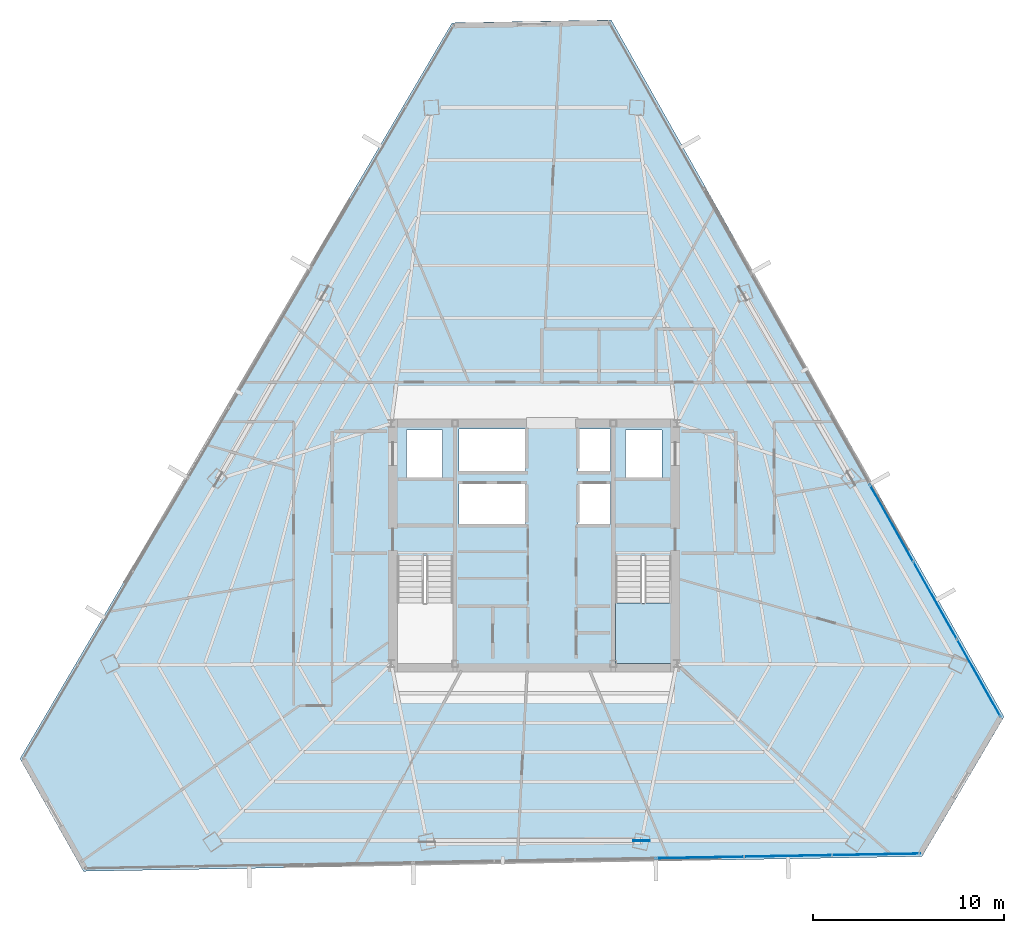
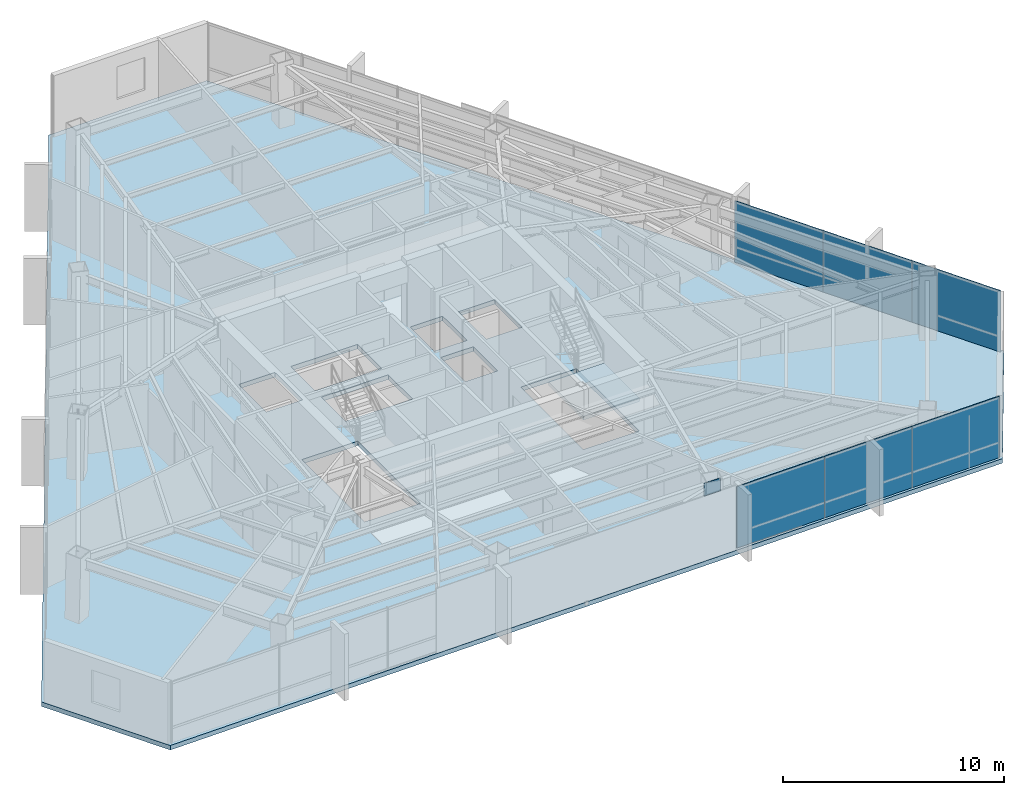
# One storey, part 34 of 42: 7 plates, 2 slabs, 3 elements without a shape of their own.
"""IFC4 building model written with IfcOpenShell, lengths in metres."""

from ifc_helpers import new_model, si_unit, direction, frame, origin, origin_2d, place, context, subcontext, project, spatial, polyline, rectangle, outline, extrude, source, transform, mapped, material, layer, layer_set, type_object, type_shapes, element, aggregate, save


model = new_model("IFC4")

# Units and contexts
model_context = context("Model", 3, precision=1e-05, world=origin(), true_north=direction((0.0, 1.0)))
body_context = subcontext(model_context, "Body", "Model", "MODEL_VIEW")
ifc_project = project(units=[si_unit("LENGTHUNIT", "METRE"), si_unit("AREAUNIT", "SQUARE_METRE"), si_unit("VOLUMEUNIT", "CUBIC_METRE"), si_unit("PLANEANGLEUNIT", "RADIAN"), si_unit("MASSUNIT", "GRAM", prefix="KILO")], contexts=[model_context])

# Site, building, storey
site_placement = place(None, origin())
site = spatial("IfcSite", under=ifc_project, at=site_placement, CompositionType="ELEMENT")
building_placement = place(site_placement, origin())
building = spatial("IfcBuilding", under=site, at=building_placement, Name="Caelisora Broadcast Tower", CompositionType="ELEMENT")
storey_placement = place(building_placement, frame((0.0, 0.0, 191.35009765625)))
storey = spatial("IfcBuildingStorey", under=building, at=storey_placement, Name="L50", CompositionType="ELEMENT", Elevation=191.35009765625)

# Slab
ifc_material_1 = material(Name="Concrete 40 MPa (AS 3600 N40)", Category="concrete")
ifc_layer_1 = layer(ifc_material_1, 0.25, Name="Concrete 40 MPa (AS 3600 N40)")
ifc_layer_set_1 = layer_set([ifc_layer_1], Name="Concrete 40 MPa (AS 3600 N40)")
slab_type_1 = type_object("IfcSlabType", Name="SL04", PredefinedType="FLOOR", material=ifc_layer_set_1)
slab_1_placement = place(storey_placement, frame((0.0, 0.0, -0.25)))
element("IfcSlab", 1, at=slab_1_placement, inside=storey, type_object=slab_type_1, Name="L50 suspended floor SL04", PredefinedType="FLOOR", context=body_context, shape_type="SweptSolid", body=[
    extrude(outline(polyline([(42.044921875, 51.157958984375), (33.698974609375, 51.010986328125), (11.037109375, 12.4150390625), (14.364013671875, 6.510986328125), (58.343017578125, 7.2890625), (62.64404296875, 14.613037109375), (42.044921875, 51.157958984375)]), holes=[polyline([(30.820068359375, 17.39990234375), (33.739990234375, 17.39990234375), (33.739990234375, 23.080078125), (30.820068359375, 23.080078125), (30.820068359375, 17.39990234375)]), polyline([(42.260009765625, 17.39990234375), (45.179931640625, 17.39990234375), (45.179931640625, 23.080078125), (42.260009765625, 23.080078125), (42.260009765625, 17.39990234375)]), polyline([(42.800048828125, 27.14990234375), (44.699951171875, 27.14990234375), (44.699951171875, 29.64990234375), (42.800048828125, 29.64990234375), (42.800048828125, 27.14990234375)]), polyline([(40.300048828125, 24.719970703125), (42.0, 24.719970703125), (42.0, 26.919921875), (40.300048828125, 26.919921875), (40.300048828125, 24.719970703125)]), polyline([(40.300048828125, 27.5), (42.0, 27.5), (42.0, 29.699951171875), (40.300048828125, 29.699951171875), (40.300048828125, 27.5)]), polyline([(34.050048828125, 24.719970703125), (37.550048828125, 24.719970703125), (37.550048828125, 26.919921875), (34.050048828125, 26.919921875), (34.050048828125, 24.719970703125)]), polyline([(34.050048828125, 27.5), (37.550048828125, 27.5), (37.550048828125, 29.699951171875), (34.050048828125, 29.699951171875), (34.050048828125, 27.5)]), polyline([(31.300048828125, 27.14990234375), (33.199951171875, 27.14990234375), (33.199951171875, 29.64990234375), (31.300048828125, 29.64990234375), (31.300048828125, 27.14990234375)])]), origin(), (0.0, 0.0, 1.0), 0.25),
])

# Stair, slab
stair_type = type_object("IfcStairType", Name="ST-2", PredefinedType="HALF_TURN_STAIR", material=ifc_material_1)
stair_placement = place(storey_placement, origin())
stair = element("IfcStair", 2, at=stair_placement, inside=storey, type_object=stair_type, Name="L50 East Fire-Isolated Tower Stair", PredefinedType="HALF_TURN_STAIR")
ifc_layer_2 = layer(ifc_material_1, 0.199951171875, Name="Concrete 40 MPa (AS 3600 N40)")
ifc_layer_set_2 = layer_set([ifc_layer_2], Name="Concrete 40 MPa (AS 3600 N40)")
slab_type_2 = type_object("IfcSlabType", Name="STL-1", PredefinedType="LANDING", material=ifc_layer_set_2)
slab_2_placement = place(storey_placement, frame((0.0, 0.0, 1.625)))
slab_2 = element("IfcSlab", 3, at=slab_2_placement, type_object=slab_type_2, Name="ST-2 landing 1", PredefinedType="LANDING", context=body_context, shape_type="SweptSolid", body=[
    extrude(outline(polyline([(42.260009765625, 20.580078125), (42.260009765625, 17.39990234375), (45.179931640625, 17.39990234375), (45.179931640625, 20.580078125), (42.260009765625, 20.580078125)])), origin(), (0.0, 0.0, 1.0), 0.199951171875),
])
aggregate(stair, [slab_2])

# Plate
ifc_material_2 = material(Name="Steel Grade 350 L15 (AS/NZS 3678)", Category="steel")
ifc_layer_3 = layer(ifc_material_2, 0.0400390625, Name="Steel Grade 350 L15 (AS/NZS 3678)")
ifc_layer_set_3 = layer_set([ifc_layer_3], Name="Steel Grade 350 L15 (AS/NZS 3678)")
plate_type_1 = type_object("IfcPlateType", Name="GP04", PredefinedType="USERDEFINED", material=ifc_layer_set_3)
shared_shape_1 = source(origin(), body_context, "Body", "SweptSolid", [
    extrude(rectangle(XDim=0.85009765625, YDim=0.0400390625, at=origin_2d()), origin(), (0.0, 0.0, 1.0), 0.699951171875),
])
type_shapes(plate_type_1, [shared_shape_1])
plate_1_placement = place(storey_placement, frame((43.62890625, 8.11572265625, 2.72998046875), z_axis=(0.0, 0.0, 1.0), x_axis=(1.0, 0.0, 0.0)))
element("IfcPlate", 4, at=plate_1_placement, inside=storey, type_object=plate_type_1, Name="L50 gusset plate GP04 (ND-L50-C07T)", ObjectType="GUSSET PLATE", PredefinedType="USERDEFINED", context=body_context, shape_type="MappedRepresentation", body=[
    mapped(shared_shape_1, transform((0.0, 0.0, 0.0), scale=1.0)),
])

# Curtain wall, plates
ifc_material_3 = material(Name="Unitised Aluminium and Low-E Glass Curtain Wall", Category="glass")
curtain_wall_type = type_object("IfcCurtainWallType", Name="CW-Z4", PredefinedType="NOTDEFINED", material=ifc_material_3)
curtain_wall_1_placement = place(storey_placement, origin())
curtain_wall_1 = element("IfcCurtainWall", 5, at=curtain_wall_1_placement, inside=storey, type_object=curtain_wall_type, Name="L50 curtain wall CW-Z4", PredefinedType="NOTDEFINED")
ifc_material_4 = material(Name="Double Glazed Low-E Argon IGU", Category="glass")
ifc_layer_4 = layer(ifc_material_4, 0.030029296875, Name="Double Glazed Low-E Argon IGU")
ifc_layer_set_4 = layer_set([ifc_layer_4], Name="Double Glazed Low-E Argon IGU")
plate_type_2 = type_object("IfcPlateType", Name="CWP-05", PredefinedType="CURTAIN_PANEL", material=ifc_layer_set_4)
shared_shape_2 = source(origin(), body_context, "Body", "SweptSolid", [
    extrude(rectangle(XDim=4.6630859375, YDim=0.030029296875, at=origin_2d()), origin(), (0.0, 0.0, 1.0), 3.39990234375),
])
plate_2_placement = place(storey_placement, frame((56.74658203125, 24.770263671875, 0.0), z_axis=(0.0, 0.0, 1.0), x_axis=(0.491055801632, -0.871128118983, 0.0)))
plate_2 = element("IfcPlate", 6, at=plate_2_placement, type_object=plate_type_2, Name="L50-CW-B03 glazed panel #1", PredefinedType="CURTAIN_PANEL", context=body_context, shape_type="MappedRepresentation", body=[
    mapped(shared_shape_2, transform((0.0, 0.0, 0.0), scale=1.0)),
])
plate_3_placement = place(storey_placement, frame((59.036376953125, 20.708251953125, 0.0), z_axis=(0.0, 0.0, 1.0), x_axis=(0.491055801632, -0.871128118983, 0.0)))
plate_3 = element("IfcPlate", 7, at=plate_3_placement, type_object=plate_type_2, Name="L50-CW-B03 glazed panel #2", PredefinedType="CURTAIN_PANEL", context=body_context, shape_type="MappedRepresentation", body=[
    mapped(shared_shape_2, transform((0.0, 0.0, 0.0), scale=1.0)),
])
plate_4_placement = place(storey_placement, frame((61.326171875, 16.64599609375, 0.0), z_axis=(0.0, 0.0, 1.0), x_axis=(0.491055801632, -0.871128118983, 0.0)))
plate_4 = element("IfcPlate", 8, at=plate_4_placement, type_object=plate_type_2, Name="L50-CW-B03 glazed panel #3", PredefinedType="CURTAIN_PANEL", context=body_context, shape_type="MappedRepresentation", body=[
    mapped(shared_shape_2, transform((0.0, 0.0, 0.0), scale=1.0)),
])
aggregate(curtain_wall_1, [plate_2, plate_3, plate_4])

curtain_wall_2_placement = place(storey_placement, origin())
curtain_wall_2 = element("IfcCurtainWall", 9, at=curtain_wall_2_placement, inside=storey, type_object=curtain_wall_type, Name="L50 curtain wall CW-Z4", PredefinedType="NOTDEFINED")
shared_shape_3 = source(origin(), body_context, "Body", "SweptSolid", [
    extrude(rectangle(XDim=4.625, YDim=0.030029296875, at=origin_2d()), origin(), (0.0, 0.0, 1.0), 3.39990234375),
])
type_shapes(plate_type_2, [shared_shape_2, shared_shape_3])
plate_5_placement = place(storey_placement, frame((55.94384765625, 7.39599609375, 0.0), z_axis=(0.0, 0.0, 1.0), x_axis=(-0.999844633908, -0.017626912514, 0.0)))
plate_5 = element("IfcPlate", 10, at=plate_5_placement, type_object=plate_type_2, Name="L50-CW-B05 glazed panel #1", PredefinedType="CURTAIN_PANEL", context=body_context, shape_type="MappedRepresentation", body=[
    mapped(shared_shape_3, transform((0.0, 0.0, 0.0), scale=1.0)),
])
plate_6_placement = place(storey_placement, frame((51.3193359375, 7.314453125, 0.0), z_axis=(0.0, 0.0, 1.0), x_axis=(-0.999844633908, -0.017626912514, 0.0)))
plate_6 = element("IfcPlate", 11, at=plate_6_placement, type_object=plate_type_2, Name="L50-CW-B05 glazed panel #2", PredefinedType="CURTAIN_PANEL", context=body_context, shape_type="MappedRepresentation", body=[
    mapped(shared_shape_3, transform((0.0, 0.0, 0.0), scale=1.0)),
])
plate_7_placement = place(storey_placement, frame((46.695068359375, 7.232666015625, 0.0), z_axis=(0.0, 0.0, 1.0), x_axis=(-0.999844633908, -0.017626912514, 0.0)))
plate_7 = element("IfcPlate", 12, at=plate_7_placement, type_object=plate_type_2, Name="L50-CW-B05 glazed panel #3", PredefinedType="CURTAIN_PANEL", context=body_context, shape_type="MappedRepresentation", body=[
    mapped(shared_shape_3, transform((0.0, 0.0, 0.0), scale=1.0)),
])
aggregate(curtain_wall_2, [plate_5, plate_6, plate_7])

save(model, "model.ifc")
